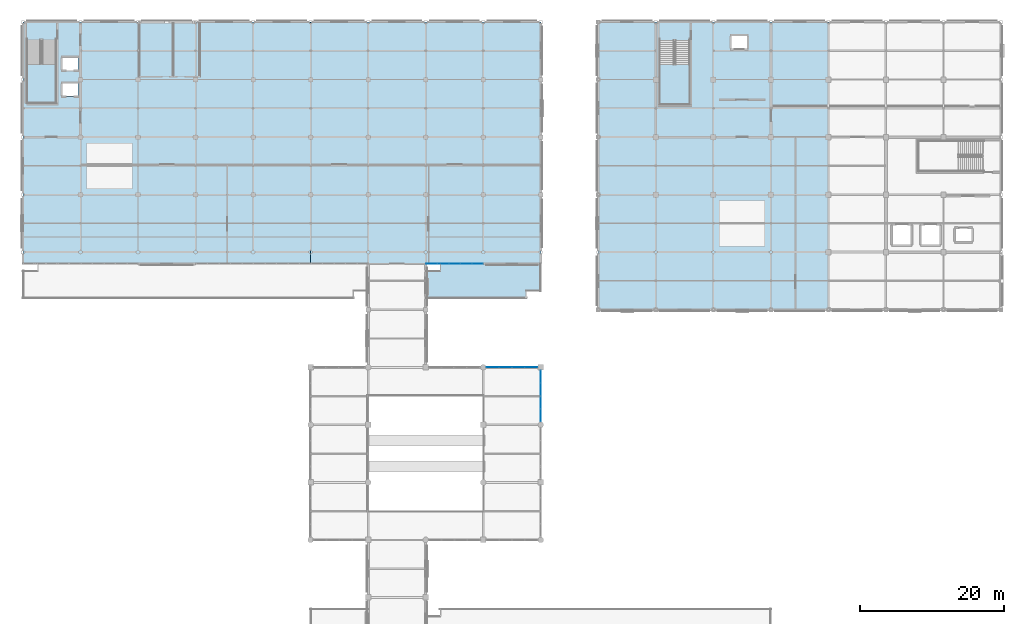
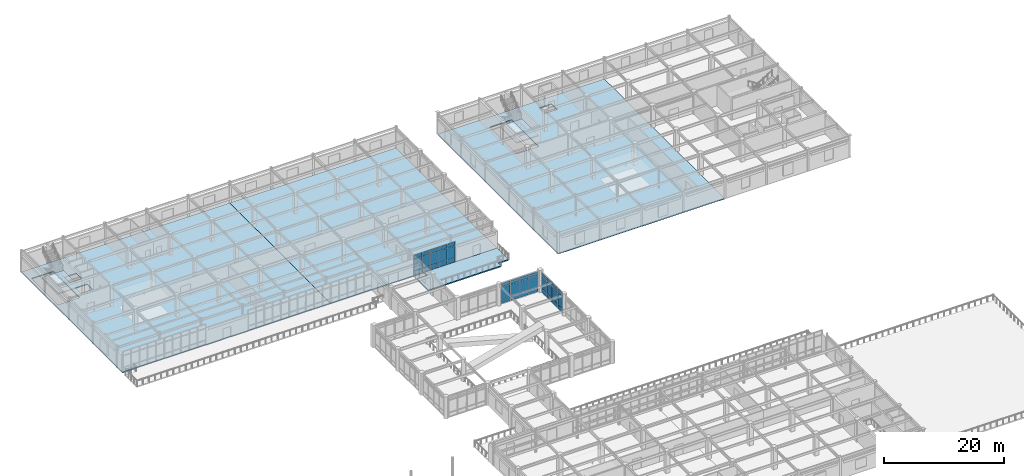
# One storey, part 55 of 93: 39 plates, 6 slabs, 5 elements without a shape of their own.
"""IFC4 building model written with IfcOpenShell, lengths in metres."""

from ifc_helpers import new_model, si_unit, direction, frame, origin, origin_2d, place, context, subcontext, project, spatial, polyline, rectangle, outline, extrude, material, layer, layer_set, type_object, element, aggregate, save


model = new_model("IFC4")

# Units and contexts
model_context = context("Model", 3, precision=1e-05, world=origin(), true_north=direction((0.0, 1.0)))
body_context = subcontext(model_context, "Body", "Model", "MODEL_VIEW")
ifc_project = project(units=[si_unit("LENGTHUNIT", "METRE"), si_unit("AREAUNIT", "SQUARE_METRE"), si_unit("VOLUMEUNIT", "CUBIC_METRE"), si_unit("PLANEANGLEUNIT", "RADIAN"), si_unit("MASSUNIT", "GRAM", prefix="KILO")], contexts=[model_context])

# Site, building, storey
site_placement = place(None, origin())
site = spatial("IfcSite", under=ifc_project, at=site_placement, CompositionType="ELEMENT")
building_placement = place(site_placement, origin())
building = spatial("IfcBuilding", under=site, at=building_placement, Name="Solmirada Galleria", CompositionType="ELEMENT")
storey_placement = place(building_placement, frame((0.0, 0.0, 14.89990234375)))
storey = spatial("IfcBuildingStorey", under=building, at=storey_placement, Name="L03", CompositionType="ELEMENT", Elevation=14.89990234375)

# Curtain wall, plates
ifc_material_1 = material(Name="Impact-resistant low-E double glazing", Category="glass")
curtain_wall_type_1 = type_object("IfcCurtainWallType", Name="CW-FZ3-L03-B4-L072", PredefinedType="NOTDEFINED", material=ifc_material_1)
curtain_wall_1_placement = place(storey_placement, origin())
curtain_wall_1 = element("IfcCurtainWall", 1, at=curtain_wall_1_placement, inside=storey, type_object=curtain_wall_type_1, Name="Terrace and arcade storefront CW-L03-130", PredefinedType="NOTDEFINED")
ifc_layer_1 = layer(ifc_material_1, 0.028076171875)
ifc_layer_set_1 = layer_set([ifc_layer_1], Name="Impact-resistant low-E double glazing")
plate_type_1 = type_object("IfcPlateType", Name="CW-PNL-CW27-T28", PredefinedType="CURTAIN_PANEL", material=ifc_layer_set_1)
plate_1_placement = place(storey_placement, frame((105.31640625, 72.0, 0.06005859375), z_axis=(0.0, 0.0, 1.0), x_axis=(1.0, 0.0, 0.0)))
plate_1 = element("IfcPlate", 2, at=plate_1_placement, type_object=plate_type_1, Name="CW27 panel 1.1", PredefinedType="CURTAIN_PANEL", context=body_context, shape_type="SweptSolid", body=[
    extrude(rectangle(XDim=1.708984375, YDim=0.028076171875, at=origin_2d()), origin(), (0.0, 0.0, 1.0), 0.77001953125),
])
plate_2_placement = place(storey_placement, frame((105.31640625, 72.0, 0.89013671875), z_axis=(0.0, 0.0, 1.0), x_axis=(1.0, 0.0, 0.0)))
plate_2 = element("IfcPlate", 3, at=plate_2_placement, type_object=plate_type_1, Name="CW27 panel 1.2", PredefinedType="CURTAIN_PANEL", context=body_context, shape_type="SweptSolid", body=[
    extrude(rectangle(XDim=1.708984375, YDim=0.028076171875, at=origin_2d()), origin(), (0.0, 0.0, 1.0), 2.449951171875),
])
plate_3_placement = place(storey_placement, frame((105.31640625, 72.0, 3.39990234375), z_axis=(0.0, 0.0, 1.0), x_axis=(1.0, 0.0, 0.0)))
plate_3 = element("IfcPlate", 4, at=plate_3_placement, type_object=plate_type_1, Name="CW27 panel 1.3", PredefinedType="CURTAIN_PANEL", context=body_context, shape_type="SweptSolid", body=[
    extrude(rectangle(XDim=1.708984375, YDim=0.028076171875, at=origin_2d()), origin(), (0.0, 0.0, 1.0), 0.760009765625),
])
plate_4_placement = place(storey_placement, frame((107.1005859375, 72.0, 0.06005859375), z_axis=(0.0, 0.0, 1.0), x_axis=(1.0, 0.0, 0.0)))
plate_4 = element("IfcPlate", 5, at=plate_4_placement, type_object=plate_type_1, Name="CW27 panel 2.1", PredefinedType="CURTAIN_PANEL", context=body_context, shape_type="SweptSolid", body=[
    extrude(rectangle(XDim=1.739013671875, YDim=0.028076171875, at=origin_2d()), origin(), (0.0, 0.0, 1.0), 0.77001953125),
])
plate_5_placement = place(storey_placement, frame((107.1005859375, 72.0, 0.89013671875), z_axis=(0.0, 0.0, 1.0), x_axis=(1.0, 0.0, 0.0)))
plate_5 = element("IfcPlate", 6, at=plate_5_placement, type_object=plate_type_1, Name="CW27 panel 2.2", PredefinedType="CURTAIN_PANEL", context=body_context, shape_type="SweptSolid", body=[
    extrude(rectangle(XDim=1.739013671875, YDim=0.028076171875, at=origin_2d()), origin(), (0.0, 0.0, 1.0), 2.449951171875),
])
plate_6_placement = place(storey_placement, frame((107.1005859375, 72.0, 3.39990234375), z_axis=(0.0, 0.0, 1.0), x_axis=(1.0, 0.0, 0.0)))
plate_6 = element("IfcPlate", 7, at=plate_6_placement, type_object=plate_type_1, Name="CW27 panel 2.3", PredefinedType="CURTAIN_PANEL", context=body_context, shape_type="SweptSolid", body=[
    extrude(rectangle(XDim=1.739013671875, YDim=0.028076171875, at=origin_2d()), origin(), (0.0, 0.0, 1.0), 0.760009765625),
])
plate_7_placement = place(storey_placement, frame((108.8994140625, 72.0, 0.06005859375), z_axis=(0.0, 0.0, 1.0), x_axis=(1.0, 0.0, 0.0)))
plate_7 = element("IfcPlate", 8, at=plate_7_placement, type_object=plate_type_1, Name="CW27 panel 3.1", PredefinedType="CURTAIN_PANEL", context=body_context, shape_type="SweptSolid", body=[
    extrude(rectangle(XDim=1.739013671875, YDim=0.028076171875, at=origin_2d()), origin(), (0.0, 0.0, 1.0), 0.77001953125),
])
plate_8_placement = place(storey_placement, frame((108.8994140625, 72.0, 0.89013671875), z_axis=(0.0, 0.0, 1.0), x_axis=(1.0, 0.0, 0.0)))
plate_8 = element("IfcPlate", 9, at=plate_8_placement, type_object=plate_type_1, Name="CW27 panel 3.2", PredefinedType="CURTAIN_PANEL", context=body_context, shape_type="SweptSolid", body=[
    extrude(rectangle(XDim=1.739013671875, YDim=0.028076171875, at=origin_2d()), origin(), (0.0, 0.0, 1.0), 2.449951171875),
])
plate_9_placement = place(storey_placement, frame((108.8994140625, 72.0, 3.39990234375), z_axis=(0.0, 0.0, 1.0), x_axis=(1.0, 0.0, 0.0)))
plate_9 = element("IfcPlate", 10, at=plate_9_placement, type_object=plate_type_1, Name="CW27 panel 3.3", PredefinedType="CURTAIN_PANEL", context=body_context, shape_type="SweptSolid", body=[
    extrude(rectangle(XDim=1.739013671875, YDim=0.028076171875, at=origin_2d()), origin(), (0.0, 0.0, 1.0), 0.760009765625),
])
plate_10_placement = place(storey_placement, frame((110.68359375, 72.0, 0.06005859375), z_axis=(0.0, 0.0, 1.0), x_axis=(1.0, 0.0, 0.0)))
plate_10 = element("IfcPlate", 11, at=plate_10_placement, type_object=plate_type_1, Name="CW27 panel 4.1", PredefinedType="CURTAIN_PANEL", context=body_context, shape_type="SweptSolid", body=[
    extrude(rectangle(XDim=1.708984375, YDim=0.028076171875, at=origin_2d()), origin(), (0.0, 0.0, 1.0), 0.77001953125),
])
plate_11_placement = place(storey_placement, frame((110.68359375, 72.0, 0.89013671875), z_axis=(0.0, 0.0, 1.0), x_axis=(1.0, 0.0, 0.0)))
plate_11 = element("IfcPlate", 12, at=plate_11_placement, type_object=plate_type_1, Name="CW27 panel 4.2", PredefinedType="CURTAIN_PANEL", context=body_context, shape_type="SweptSolid", body=[
    extrude(rectangle(XDim=1.708984375, YDim=0.028076171875, at=origin_2d()), origin(), (0.0, 0.0, 1.0), 2.449951171875),
])
plate_12_placement = place(storey_placement, frame((110.68359375, 72.0, 3.39990234375), z_axis=(0.0, 0.0, 1.0), x_axis=(1.0, 0.0, 0.0)))
plate_12 = element("IfcPlate", 13, at=plate_12_placement, type_object=plate_type_1, Name="CW27 panel 4.3", PredefinedType="CURTAIN_PANEL", context=body_context, shape_type="SweptSolid", body=[
    extrude(rectangle(XDim=1.708984375, YDim=0.028076171875, at=origin_2d()), origin(), (0.0, 0.0, 1.0), 0.760009765625),
])
aggregate(curtain_wall_1, [plate_1, plate_2, plate_3, plate_4, plate_5, plate_6, plate_7, plate_8, plate_9, plate_10, plate_11, plate_12])

curtain_wall_2_placement = place(storey_placement, origin())
curtain_wall_2 = element("IfcCurtainWall", 14, at=curtain_wall_2_placement, inside=storey, type_object=curtain_wall_type_1, Name="Terrace and arcade storefront CW-L03-131", PredefinedType="NOTDEFINED")
plate_13_placement = place(storey_placement, frame((112.0, 70.68359375, 0.06005859375), z_axis=(0.0, 0.0, 1.0), x_axis=(0.0, -1.0, 0.0)))
plate_13 = element("IfcPlate", 15, at=plate_13_placement, type_object=plate_type_1, Name="CW27 panel 1.1", PredefinedType="CURTAIN_PANEL", context=body_context, shape_type="SweptSolid", body=[
    extrude(rectangle(XDim=1.708984375, YDim=0.028076171875, at=origin_2d()), origin(), (0.0, 0.0, 1.0), 0.77001953125),
])
plate_14_placement = place(storey_placement, frame((112.0, 70.68359375, 0.89013671875), z_axis=(0.0, 0.0, 1.0), x_axis=(0.0, -1.0, 0.0)))
plate_14 = element("IfcPlate", 16, at=plate_14_placement, type_object=plate_type_1, Name="CW27 panel 1.2", PredefinedType="CURTAIN_PANEL", context=body_context, shape_type="SweptSolid", body=[
    extrude(rectangle(XDim=1.708984375, YDim=0.028076171875, at=origin_2d()), origin(), (0.0, 0.0, 1.0), 2.449951171875),
])
plate_15_placement = place(storey_placement, frame((112.0, 70.68359375, 3.39990234375), z_axis=(0.0, 0.0, 1.0), x_axis=(0.0, -1.0, 0.0)))
plate_15 = element("IfcPlate", 17, at=plate_15_placement, type_object=plate_type_1, Name="CW27 panel 1.3", PredefinedType="CURTAIN_PANEL", context=body_context, shape_type="SweptSolid", body=[
    extrude(rectangle(XDim=1.708984375, YDim=0.028076171875, at=origin_2d()), origin(), (0.0, 0.0, 1.0), 0.760009765625),
])
plate_16_placement = place(storey_placement, frame((112.0, 68.8994140625, 0.06005859375), z_axis=(0.0, 0.0, 1.0), x_axis=(0.0, -1.0, 0.0)))
plate_16 = element("IfcPlate", 18, at=plate_16_placement, type_object=plate_type_1, Name="CW27 panel 2.1", PredefinedType="CURTAIN_PANEL", context=body_context, shape_type="SweptSolid", body=[
    extrude(rectangle(XDim=1.739013671875, YDim=0.028076171875, at=origin_2d()), origin(), (0.0, 0.0, 1.0), 0.77001953125),
])
plate_17_placement = place(storey_placement, frame((112.0, 68.8994140625, 0.89013671875), z_axis=(0.0, 0.0, 1.0), x_axis=(0.0, -1.0, 0.0)))
plate_17 = element("IfcPlate", 19, at=plate_17_placement, type_object=plate_type_1, Name="CW27 panel 2.2", PredefinedType="CURTAIN_PANEL", context=body_context, shape_type="SweptSolid", body=[
    extrude(rectangle(XDim=1.739013671875, YDim=0.028076171875, at=origin_2d()), origin(), (0.0, 0.0, 1.0), 2.449951171875),
])
plate_18_placement = place(storey_placement, frame((112.0, 68.8994140625, 3.39990234375), z_axis=(0.0, 0.0, 1.0), x_axis=(0.0, -1.0, 0.0)))
plate_18 = element("IfcPlate", 20, at=plate_18_placement, type_object=plate_type_1, Name="CW27 panel 2.3", PredefinedType="CURTAIN_PANEL", context=body_context, shape_type="SweptSolid", body=[
    extrude(rectangle(XDim=1.739013671875, YDim=0.028076171875, at=origin_2d()), origin(), (0.0, 0.0, 1.0), 0.760009765625),
])
plate_19_placement = place(storey_placement, frame((112.0, 67.1005859375, 0.06005859375), z_axis=(0.0, 0.0, 1.0), x_axis=(0.0, -1.0, 0.0)))
plate_19 = element("IfcPlate", 21, at=plate_19_placement, type_object=plate_type_1, Name="CW27 panel 3.1", PredefinedType="CURTAIN_PANEL", context=body_context, shape_type="SweptSolid", body=[
    extrude(rectangle(XDim=1.739013671875, YDim=0.028076171875, at=origin_2d()), origin(), (0.0, 0.0, 1.0), 0.77001953125),
])
plate_20_placement = place(storey_placement, frame((112.0, 67.1005859375, 0.89013671875), z_axis=(0.0, 0.0, 1.0), x_axis=(0.0, -1.0, 0.0)))
plate_20 = element("IfcPlate", 22, at=plate_20_placement, type_object=plate_type_1, Name="CW27 panel 3.2", PredefinedType="CURTAIN_PANEL", context=body_context, shape_type="SweptSolid", body=[
    extrude(rectangle(XDim=1.739013671875, YDim=0.028076171875, at=origin_2d()), origin(), (0.0, 0.0, 1.0), 2.449951171875),
])
plate_21_placement = place(storey_placement, frame((112.0, 67.1005859375, 3.39990234375), z_axis=(0.0, 0.0, 1.0), x_axis=(0.0, -1.0, 0.0)))
plate_21 = element("IfcPlate", 23, at=plate_21_placement, type_object=plate_type_1, Name="CW27 panel 3.3", PredefinedType="CURTAIN_PANEL", context=body_context, shape_type="SweptSolid", body=[
    extrude(rectangle(XDim=1.739013671875, YDim=0.028076171875, at=origin_2d()), origin(), (0.0, 0.0, 1.0), 0.760009765625),
])
plate_22_placement = place(storey_placement, frame((112.0, 65.31640625, 0.06005859375), z_axis=(0.0, 0.0, 1.0), x_axis=(0.0, -1.0, 0.0)))
plate_22 = element("IfcPlate", 24, at=plate_22_placement, type_object=plate_type_1, Name="CW27 panel 4.1", PredefinedType="CURTAIN_PANEL", context=body_context, shape_type="SweptSolid", body=[
    extrude(rectangle(XDim=1.708984375, YDim=0.028076171875, at=origin_2d()), origin(), (0.0, 0.0, 1.0), 0.77001953125),
])
plate_23_placement = place(storey_placement, frame((112.0, 65.31640625, 0.89013671875), z_axis=(0.0, 0.0, 1.0), x_axis=(0.0, -1.0, 0.0)))
plate_23 = element("IfcPlate", 25, at=plate_23_placement, type_object=plate_type_1, Name="CW27 panel 4.2", PredefinedType="CURTAIN_PANEL", context=body_context, shape_type="SweptSolid", body=[
    extrude(rectangle(XDim=1.708984375, YDim=0.028076171875, at=origin_2d()), origin(), (0.0, 0.0, 1.0), 2.449951171875),
])
plate_24_placement = place(storey_placement, frame((112.0, 65.31640625, 3.39990234375), z_axis=(0.0, 0.0, 1.0), x_axis=(0.0, -1.0, 0.0)))
plate_24 = element("IfcPlate", 26, at=plate_24_placement, type_object=plate_type_1, Name="CW27 panel 4.3", PredefinedType="CURTAIN_PANEL", context=body_context, shape_type="SweptSolid", body=[
    extrude(rectangle(XDim=1.708984375, YDim=0.028076171875, at=origin_2d()), origin(), (0.0, 0.0, 1.0), 0.760009765625),
])
aggregate(curtain_wall_2, [plate_13, plate_14, plate_15, plate_16, plate_17, plate_18, plate_19, plate_20, plate_21, plate_22, plate_23, plate_24])

curtain_wall_type_2 = type_object("IfcCurtainWallType", Name="CW-FZ4-L03-B5-L080", PredefinedType="NOTDEFINED", material=ifc_material_1)
curtain_wall_3_placement = place(storey_placement, origin())
curtain_wall_3 = element("IfcCurtainWall", 27, at=curtain_wall_3_placement, inside=storey, type_object=curtain_wall_type_2, Name="Terrace and arcade storefront CW-L03-128", PredefinedType="NOTDEFINED")
ifc_material_2 = material(Name="Ceramic-fritted spandrel glass", Category="glass")
ifc_layer_2 = layer(ifc_material_2, 0.035888671875)
ifc_layer_set_2 = layer_set([ifc_layer_2], Name="Ceramic-fritted spandrel glass")
plate_type_2 = type_object("IfcPlateType", Name="CW-PNL-CW28-T36", PredefinedType="CURTAIN_PANEL", material=ifc_layer_set_2)
plate_25_placement = place(storey_placement, frame((103.18505859375, 86.39990234375, 0.06005859375), z_axis=(0.0, 0.0, 1.0), x_axis=(-1.0, 0.0, 0.0)))
plate_25 = element("IfcPlate", 28, at=plate_25_placement, type_object=plate_type_2, Name="CW28 panel 1.1", PredefinedType="CURTAIN_PANEL", context=body_context, shape_type="SweptSolid", body=[
    extrude(rectangle(XDim=1.510009765625, YDim=0.035888671875, at=origin_2d()), origin(), (0.0, 0.0, 1.0), 0.830078125),
])
plate_26_placement = place(storey_placement, frame((103.18505859375, 86.39990234375, 0.9501953125), z_axis=(0.0, 0.0, 1.0), x_axis=(-1.0, 0.0, 0.0)))
plate_26 = element("IfcPlate", 29, at=plate_26_placement, type_object=plate_type_2, Name="CW28 panel 1.2", PredefinedType="CURTAIN_PANEL", context=body_context, shape_type="SweptSolid", body=[
    extrude(rectangle(XDim=1.510009765625, YDim=0.035888671875, at=origin_2d()), origin(), (0.0, 0.0, 1.0), 2.340087890625),
])
plate_27_placement = place(storey_placement, frame((103.18505859375, 86.39990234375, 3.35009765625), z_axis=(0.0, 0.0, 1.0), x_axis=(-1.0, 0.0, 0.0)))
plate_27 = element("IfcPlate", 30, at=plate_27_placement, type_object=plate_type_2, Name="CW28 panel 1.3", PredefinedType="CURTAIN_PANEL", context=body_context, shape_type="SweptSolid", body=[
    extrude(rectangle(XDim=1.510009765625, YDim=0.035888671875, at=origin_2d()), origin(), (0.0, 0.0, 1.0), 0.81005859375),
])
plate_28_placement = place(storey_placement, frame((101.60009765625, 86.39990234375, 0.06005859375), z_axis=(0.0, 0.0, 1.0), x_axis=(-1.0, 0.0, 0.0)))
plate_28 = element("IfcPlate", 31, at=plate_28_placement, type_object=plate_type_2, Name="CW28 panel 2.1", PredefinedType="CURTAIN_PANEL", context=body_context, shape_type="SweptSolid", body=[
    extrude(rectangle(XDim=1.5400390625, YDim=0.035888671875, at=origin_2d()), origin(), (0.0, 0.0, 1.0), 0.830078125),
])
plate_29_placement = place(storey_placement, frame((101.60009765625, 86.39990234375, 0.9501953125), z_axis=(0.0, 0.0, 1.0), x_axis=(-1.0, 0.0, 0.0)))
plate_29 = element("IfcPlate", 32, at=plate_29_placement, type_object=plate_type_2, Name="CW28 panel 2.2", PredefinedType="CURTAIN_PANEL", context=body_context, shape_type="SweptSolid", body=[
    extrude(rectangle(XDim=1.5400390625, YDim=0.035888671875, at=origin_2d()), origin(), (0.0, 0.0, 1.0), 2.340087890625),
])
plate_30_placement = place(storey_placement, frame((101.60009765625, 86.39990234375, 3.35009765625), z_axis=(0.0, 0.0, 1.0), x_axis=(-1.0, 0.0, 0.0)))
plate_30 = element("IfcPlate", 33, at=plate_30_placement, type_object=plate_type_2, Name="CW28 panel 2.3", PredefinedType="CURTAIN_PANEL", context=body_context, shape_type="SweptSolid", body=[
    extrude(rectangle(XDim=1.5400390625, YDim=0.035888671875, at=origin_2d()), origin(), (0.0, 0.0, 1.0), 0.81005859375),
])
plate_31_placement = place(storey_placement, frame((100.0, 86.39990234375, 0.06005859375), z_axis=(0.0, 0.0, 1.0), x_axis=(-1.0, 0.0, 0.0)))
plate_31 = element("IfcPlate", 34, at=plate_31_placement, type_object=plate_type_2, Name="CW28 panel 3.1", PredefinedType="CURTAIN_PANEL", context=body_context, shape_type="SweptSolid", body=[
    extrude(rectangle(XDim=1.5400390625, YDim=0.035888671875, at=origin_2d()), origin(), (0.0, 0.0, 1.0), 0.830078125),
])
plate_32_placement = place(storey_placement, frame((100.0, 86.39990234375, 0.9501953125), z_axis=(0.0, 0.0, 1.0), x_axis=(-1.0, 0.0, 0.0)))
plate_32 = element("IfcPlate", 35, at=plate_32_placement, type_object=plate_type_2, Name="CW28 panel 3.2", PredefinedType="CURTAIN_PANEL", context=body_context, shape_type="SweptSolid", body=[
    extrude(rectangle(XDim=1.5400390625, YDim=0.035888671875, at=origin_2d()), origin(), (0.0, 0.0, 1.0), 2.340087890625),
])
plate_33_placement = place(storey_placement, frame((100.0, 86.39990234375, 3.35009765625), z_axis=(0.0, 0.0, 1.0), x_axis=(-1.0, 0.0, 0.0)))
plate_33 = element("IfcPlate", 36, at=plate_33_placement, type_object=plate_type_2, Name="CW28 panel 3.3", PredefinedType="CURTAIN_PANEL", context=body_context, shape_type="SweptSolid", body=[
    extrude(rectangle(XDim=1.5400390625, YDim=0.035888671875, at=origin_2d()), origin(), (0.0, 0.0, 1.0), 0.81005859375),
])
plate_34_placement = place(storey_placement, frame((98.39990234375, 86.39990234375, 0.06005859375), z_axis=(0.0, 0.0, 1.0), x_axis=(-1.0, 0.0, 0.0)))
plate_34 = element("IfcPlate", 37, at=plate_34_placement, type_object=plate_type_2, Name="CW28 panel 4.1", PredefinedType="CURTAIN_PANEL", context=body_context, shape_type="SweptSolid", body=[
    extrude(rectangle(XDim=1.5400390625, YDim=0.035888671875, at=origin_2d()), origin(), (0.0, 0.0, 1.0), 0.830078125),
])
plate_35_placement = place(storey_placement, frame((98.39990234375, 86.39990234375, 0.9501953125), z_axis=(0.0, 0.0, 1.0), x_axis=(-1.0, 0.0, 0.0)))
plate_35 = element("IfcPlate", 38, at=plate_35_placement, type_object=plate_type_2, Name="CW28 panel 4.2", PredefinedType="CURTAIN_PANEL", context=body_context, shape_type="SweptSolid", body=[
    extrude(rectangle(XDim=1.5400390625, YDim=0.035888671875, at=origin_2d()), origin(), (0.0, 0.0, 1.0), 2.340087890625),
])
plate_36_placement = place(storey_placement, frame((98.39990234375, 86.39990234375, 3.35009765625), z_axis=(0.0, 0.0, 1.0), x_axis=(-1.0, 0.0, 0.0)))
plate_36 = element("IfcPlate", 39, at=plate_36_placement, type_object=plate_type_2, Name="CW28 panel 4.3", PredefinedType="CURTAIN_PANEL", context=body_context, shape_type="SweptSolid", body=[
    extrude(rectangle(XDim=1.5400390625, YDim=0.035888671875, at=origin_2d()), origin(), (0.0, 0.0, 1.0), 0.81005859375),
])
plate_37_placement = place(storey_placement, frame((96.81494140625, 86.39990234375, 0.06005859375), z_axis=(0.0, 0.0, 1.0), x_axis=(-1.0, 0.0, 0.0)))
plate_37 = element("IfcPlate", 40, at=plate_37_placement, type_object=plate_type_2, Name="CW28 panel 5.1", PredefinedType="CURTAIN_PANEL", context=body_context, shape_type="SweptSolid", body=[
    extrude(rectangle(XDim=1.510009765625, YDim=0.035888671875, at=origin_2d()), origin(), (0.0, 0.0, 1.0), 0.830078125),
])
plate_38_placement = place(storey_placement, frame((96.81494140625, 86.39990234375, 0.9501953125), z_axis=(0.0, 0.0, 1.0), x_axis=(-1.0, 0.0, 0.0)))
plate_38 = element("IfcPlate", 41, at=plate_38_placement, type_object=plate_type_2, Name="CW28 panel 5.2", PredefinedType="CURTAIN_PANEL", context=body_context, shape_type="SweptSolid", body=[
    extrude(rectangle(XDim=1.510009765625, YDim=0.035888671875, at=origin_2d()), origin(), (0.0, 0.0, 1.0), 2.340087890625),
])
plate_39_placement = place(storey_placement, frame((96.81494140625, 86.39990234375, 3.35009765625), z_axis=(0.0, 0.0, 1.0), x_axis=(-1.0, 0.0, 0.0)))
plate_39 = element("IfcPlate", 42, at=plate_39_placement, type_object=plate_type_2, Name="CW28 panel 5.3", PredefinedType="CURTAIN_PANEL", context=body_context, shape_type="SweptSolid", body=[
    extrude(rectangle(XDim=1.510009765625, YDim=0.035888671875, at=origin_2d()), origin(), (0.0, 0.0, 1.0), 0.81005859375),
])
aggregate(curtain_wall_3, [plate_25, plate_26, plate_27, plate_28, plate_29, plate_30, plate_31, plate_32, plate_33, plate_34, plate_35, plate_36, plate_37, plate_38, plate_39])

# Slabs
ifc_material_3 = material(Name="Concrete C35/45", Category="concrete")
ifc_layer_3 = layer(ifc_material_3, 0.199951171875)
ifc_layer_set_3 = layer_set([ifc_layer_3], Name="Concrete C35/45")
slab_type_1 = type_object("IfcSlabType", Name="SLB-FLOOR-200", PredefinedType="FLOOR", material=ifc_layer_set_3)
slab_1_placement = place(storey_placement, frame((0.0, 0.0, -0.199951171875)))
element("IfcSlab", 43, at=slab_1_placement, inside=storey, type_object=slab_type_1, Name="Slab L03-NORTH-W", PredefinedType="FLOOR", context=body_context, shape_type="SweptSolid", body=[
    extrude(outline(polyline([(40.0, 86.39990234375), (80.0, 86.39990234375), (80.0, 120.0), (40.0, 120.0), (40.0, 86.39990234375)]), holes=[polyline([(40.5, 108.699951171875), (44.64990234375, 108.699951171875), (44.64990234375, 117.5), (40.5, 117.5), (40.5, 108.699951171875)]), polyline([(45.425048828125, 113.300048828125), (47.675048828125, 113.300048828125), (47.675048828125, 115.10009765625), (45.425048828125, 115.10009765625), (45.425048828125, 113.300048828125)]), polyline([(45.425048828125, 109.699951171875), (47.675048828125, 109.699951171875), (47.675048828125, 111.5), (45.425048828125, 111.5), (45.425048828125, 109.699951171875)])]), origin(), (0.0, 0.0, 1.0), 0.199951171875),
])
slab_2_placement = place(storey_placement, frame((0.0, 0.0, -0.199951171875)))
element("IfcSlab", 44, at=slab_2_placement, inside=storey, type_object=slab_type_1, Name="Slab L03-NORTH-E", PredefinedType="FLOOR", context=body_context, shape_type="SweptSolid", body=[
    extrude(outline(polyline([(80.0, 86.39990234375), (112.0, 86.39990234375), (112.0, 120.0), (80.0, 120.0), (80.0, 86.39990234375)])), origin(), (0.0, 0.0, 1.0), 0.199951171875),
])
slab_3_placement = place(storey_placement, frame((0.0, 0.0, -0.199951171875)))
element("IfcSlab", 45, at=slab_3_placement, inside=storey, type_object=slab_type_1, Name="Slab L03-NE-W", PredefinedType="FLOOR", context=body_context, shape_type="SweptSolid", body=[
    extrude(outline(polyline([(120.0, 80.0), (152.0, 80.0), (152.0, 120.0), (120.0, 120.0), (120.0, 80.0)]), holes=[polyline([(128.5, 108.5), (132.75, 108.5), (132.75, 117.449951171875), (128.5, 117.449951171875), (128.5, 108.5)]), polyline([(138.449951171875, 116.27490234375), (140.75, 116.27490234375), (140.75, 118.125), (138.449951171875, 118.125), (138.449951171875, 116.27490234375)])]), origin(), (0.0, 0.0, 1.0), 0.199951171875),
])

# Stair, slab
stair_type_1 = type_object("IfcStairType", Name="STR-DOG-200-H45", PredefinedType="HALF_TURN_STAIR", material=ifc_material_3)
stair_1_placement = place(storey_placement, origin())
stair_1 = element("IfcStair", 46, at=stair_1_placement, inside=storey, type_object=stair_type_1, Name="L03 Northwest Sales Core Exit Stair ST1", PredefinedType="HALF_TURN_STAIR")
ifc_layer_4 = layer(ifc_material_3, 0.199951171875)
ifc_layer_set_4 = layer_set([ifc_layer_4], Name="Concrete C35/45")
slab_type_2 = type_object("IfcSlabType", Name="SLB-LAND-200", PredefinedType="LANDING", material=ifc_layer_set_4)
slab_4_placement = place(storey_placement, frame((0.0, 0.0, 2.050048828125)))
slab_4 = element("IfcSlab", 47, at=slab_4_placement, type_object=slab_type_2, Name="ST1 landing 1", PredefinedType="LANDING", context=body_context, shape_type="SweptSolid", body=[
    extrude(outline(polyline([(40.5, 114.139892578125), (40.5, 108.699951171875), (44.64990234375, 108.699951171875), (44.64990234375, 114.139892578125), (40.5, 114.139892578125)])), origin(), (0.0, 0.0, 1.0), 0.199951171875),
])
aggregate(stair_1, [slab_4])

stair_type_2 = type_object("IfcStairType", Name="STR-DOG-205-H45", PredefinedType="HALF_TURN_STAIR", material=ifc_material_3)
stair_2_placement = place(storey_placement, origin())
stair_2 = element("IfcStair", 48, at=stair_2_placement, inside=storey, type_object=stair_type_2, Name="L03 North Avenue High-Rise Core Exit Stair ST3", PredefinedType="HALF_TURN_STAIR")
slab_5_placement = place(storey_placement, frame((0.0, 0.0, 2.050048828125)))
slab_5 = element("IfcSlab", 49, at=slab_5_placement, type_object=slab_type_2, Name="ST3 landing 1", PredefinedType="LANDING", context=body_context, shape_type="SweptSolid", body=[
    extrude(outline(polyline([(128.5, 114.090087890625), (128.5, 108.5), (132.75, 108.5), (132.75, 114.090087890625), (128.5, 114.090087890625)])), origin(), (0.0, 0.0, 1.0), 0.199951171875),
])
aggregate(stair_2, [slab_5])

# Slab
ifc_layer_5 = layer(ifc_material_3, 0.239990234375)
ifc_layer_set_5 = layer_set([ifc_layer_5], Name="Concrete C35/45")
slab_type_3 = type_object("IfcSlabType", Name="SLB-TERR-240", PredefinedType="FLOOR", material=ifc_layer_set_5)
slab_6_placement = place(storey_placement, frame((0.0, 0.0, -0.239990234375)))
element("IfcSlab", 50, at=slab_6_placement, inside=storey, type_object=slab_type_3, Name="Slab L03-TERR-NE", PredefinedType="FLOOR", context=body_context, shape_type="SweptSolid", body=[
    extrude(outline(polyline([(96.0, 81.60009765625), (110.0, 81.60009765625), (110.0, 82.60009765625), (112.0, 82.60009765625), (112.0, 86.39990234375), (98.0, 86.39990234375), (98.0, 85.39990234375), (96.0, 85.39990234375), (96.0, 81.60009765625)])), origin(), (0.0, 0.0, 1.0), 0.239990234375),
])

save(model, "model.ifc")
